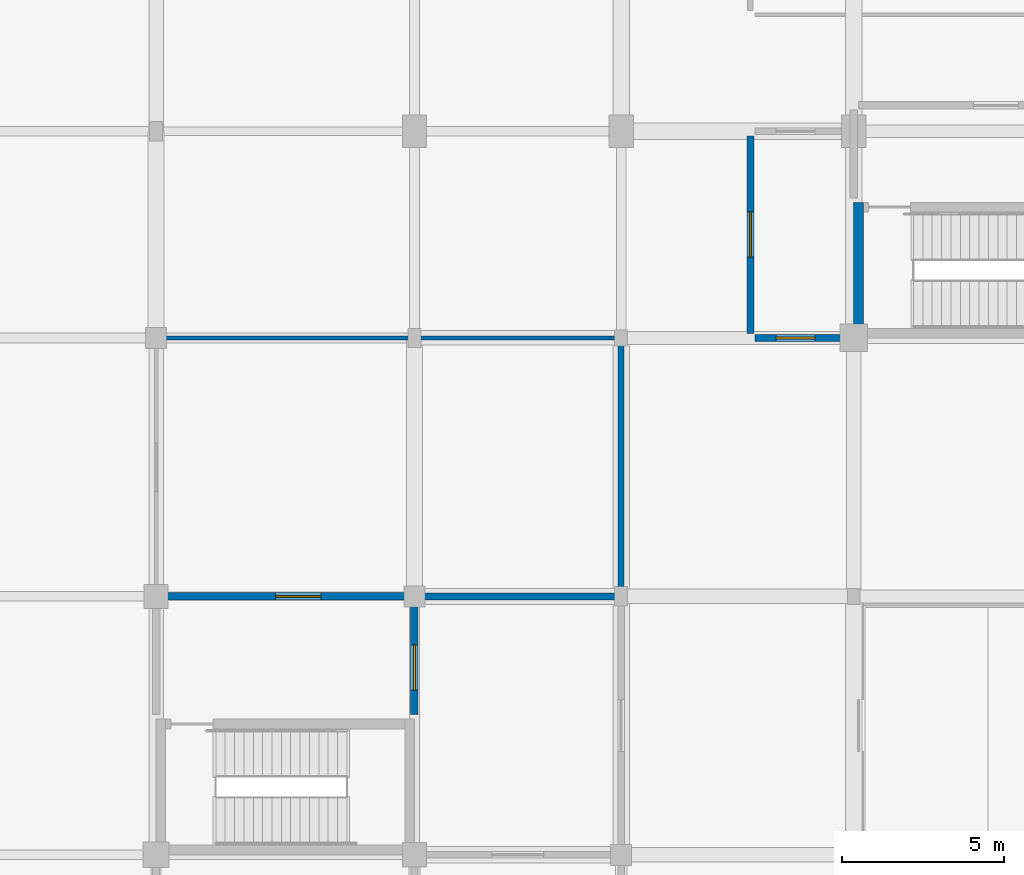
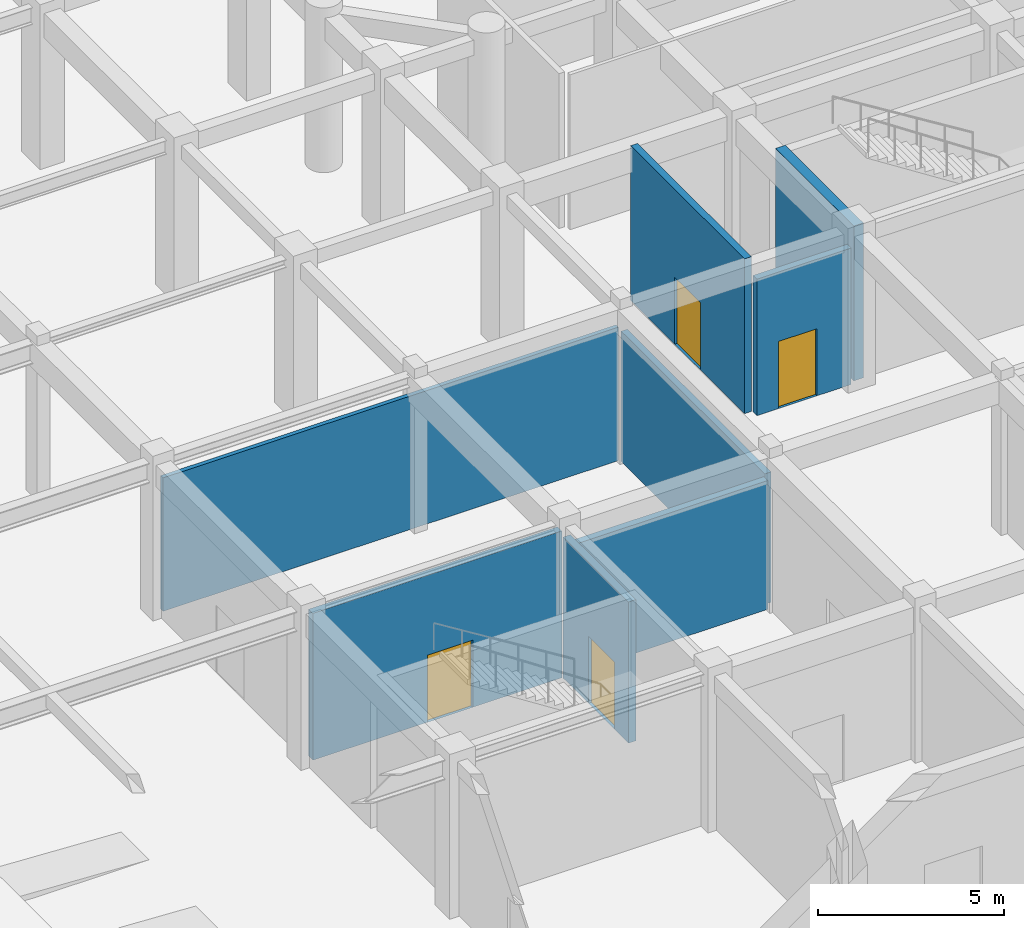
# One storey, part 27 of 40: 8 walls, 4 doors, 4 openings.
"""IFC4 building model written with IfcOpenShell, lengths in metres."""

from ifc_helpers import new_model, si_unit, direction, frame, frame_2d, origin, place, context, subcontext, project, spatial, rectangle, extrude, material, layer, layer_set, type_object, element, fill, save


model = new_model("IFC4")

# Units and contexts
model_context = context("Model", 3, precision=1e-05, world=origin(), true_north=direction((0.0, 1.0)))
body_context = subcontext(model_context, "Body", "Model", "MODEL_VIEW")
ifc_project = project(units=[si_unit("LENGTHUNIT", "METRE"), si_unit("AREAUNIT", "SQUARE_METRE"), si_unit("VOLUMEUNIT", "CUBIC_METRE"), si_unit("PLANEANGLEUNIT", "RADIAN"), si_unit("MASSUNIT", "GRAM", prefix="KILO")], contexts=[model_context])

# Site, building, storey
site_placement = place(None, origin())
site = spatial("IfcSite", under=ifc_project, at=site_placement, CompositionType="ELEMENT")
building_placement = place(site_placement, origin())
building = spatial("IfcBuilding", under=site, at=building_placement, Name="Vellmiral Cinema and Media Centre", CompositionType="ELEMENT")
storey_placement = place(building_placement, origin())
storey = spatial("IfcBuildingStorey", under=building, at=storey_placement, Name="L00", CompositionType="ELEMENT", Elevation=0.0)

# Wall
ifc_material_1 = material(Name="Concrete C40/50", Category="concrete")
ifc_layer_1 = layer(ifc_material_1, 0.2099609375, Name="Concrete C40/50")
ifc_layer_set_1 = layer_set([ifc_layer_1], Name="Concrete C40/50")
wall_type_1 = type_object("IfcWallType", Name="WL-COMP-210", PredefinedType="SOLIDWALL", material=ifc_layer_set_1)
wall_1_placement = place(storey_placement, frame((110.5400390625, 51.199951171875, 0.0), z_axis=(0.0, 0.0, 1.0), x_axis=(1.0, 0.0, 0.0)))
element("IfcWall", 1, at=wall_1_placement, inside=storey, type_object=wall_type_1, Name="ST-P4 Protected Exit Vestibule Wall N", PredefinedType="SOLIDWALL", context=body_context, shape_type="SweptSolid", body=[
    extrude(rectangle(XDim=6.119873046875, YDim=0.2099609375, at=frame_2d((3.06005859375, 0.0))), origin(), (0.0, 0.0, 1.0), 4.22509765625),
])

# Wall, opening, door
wall_2_placement = place(storey_placement, frame((120.93994140625, 59.199951171875, 0.0), z_axis=(0.0, 0.0, 1.0), x_axis=(1.0, 0.0, 0.0)))
wall_2 = element("IfcWall", 2, at=wall_2_placement, inside=storey, type_object=wall_type_1, Name="ST-P6 West Escape Vestibule Wall S", PredefinedType="SOLIDWALL", context=body_context, shape_type="SweptSolid", body=[
    extrude(rectangle(XDim=2.920166015625, YDim=0.2099609375, at=frame_2d((1.4599609375, 0.0))), origin(), (0.0, 0.0, 1.0), 4.47509765625),
])
opening_1_placement = place(wall_2_placement, frame((0.659912109375, 0.0, 0.0)))
opening_1 = element("IfcOpeningElement", 3, at=opening_1_placement, cuts=wall_2, Name="Opening D-FD60C", PredefinedType="OPENING", context=body_context, shape_type="SweptSolid", body=[
    extrude(rectangle(XDim=1.199951171875, YDim=2.199951171875, at=frame_2d((0.60009765625, 1.10009765625))), frame((0.0, 0.116943359375, 0.0), z_axis=(0.0, -1.0, 0.0), x_axis=(1.0, 0.0, 0.0)), (0.0, 0.0, 1.0), 0.23388671875),
])
ifc_material_2 = material(Name="Steel Fire Door", Category="steel")
door_type_1 = type_object("IfcDoorType", Name="DR-FD60-1200x2200", OperationType="NOTDEFINED", PredefinedType="DOOR", material=ifc_material_2)
door_1_placement = place(opening_1_placement, origin())
door_1 = element("IfcDoor", 4, at=door_1_placement, inside=storey, type_object=door_type_1, Name="ST-P6 West Escape Vestibule Door", OperationType="SINGLE_SWING_LEFT", OverallHeight=2.199951171875, OverallWidth=1.199951171875, PredefinedType="DOOR", context=body_context, shape_type="SweptSolid", body=[
    extrude(rectangle(XDim=1.199951171875, YDim=2.199951171875, at=frame_2d((0.60009765625, 1.10009765625))), frame((0.0, 0.02490234375, 0.0), z_axis=(0.0, -1.0, 0.0), x_axis=(1.0, 0.0, 0.0)), (0.0, 0.0, 1.0), 0.050048828125),
])
fill(opening_1, door_1)

wall_3_placement = place(storey_placement, frame((120.800048828125, 59.340087890625, 0.0), z_axis=(0.0, 0.0, 1.0), x_axis=(0.0, 1.0, 0.0)))
wall_3 = element("IfcWall", 5, at=wall_3_placement, inside=storey, type_object=wall_type_1, Name="ST-P6 West Escape Vestibule Wall W", PredefinedType="SOLIDWALL", context=body_context, shape_type="SweptSolid", body=[
    extrude(rectangle(XDim=6.119873046875, YDim=0.2099609375, at=frame_2d((3.06005859375, 0.0))), origin(), (0.0, 0.0, 1.0), 5.080078125),
])
opening_2_placement = place(wall_3_placement, frame((2.360107421875, 0.0, 0.0)))
opening_2 = element("IfcOpeningElement", 6, at=opening_2_placement, cuts=wall_3, Name="Opening D-FD60B", PredefinedType="OPENING", context=body_context, shape_type="SweptSolid", body=[
    extrude(rectangle(XDim=1.39990234375, YDim=2.199951171875, at=frame_2d((0.699951171875, 1.10009765625))), frame((0.0, 0.116943359375, 0.0), z_axis=(0.0, -1.0, 0.0), x_axis=(1.0, 0.0, 0.0)), (0.0, 0.0, 1.0), 0.23388671875),
])
ifc_material_3 = material(Name="Steel Fire Door", Category="steel")
door_type_2 = type_object("IfcDoorType", Name="DR-FD60-1400x2200", OperationType="NOTDEFINED", PredefinedType="DOOR", material=ifc_material_3)
door_2_placement = place(opening_2_placement, frame((1.39990234375, 0.0, 0.0), z_axis=(0.0, 0.0, 1.0), x_axis=(-1.0, 0.0, 0.0)))
door_2 = element("IfcDoor", 7, at=door_2_placement, inside=storey, type_object=door_type_2, Name="ST-P6 West Escape Vestibule Door", OperationType="SINGLE_SWING_LEFT", OverallHeight=2.199951171875, OverallWidth=1.39990234375, PredefinedType="DOOR", context=body_context, shape_type="SweptSolid", body=[
    extrude(rectangle(XDim=1.39990234375, YDim=2.199951171875, at=frame_2d((0.699951171875, 1.10009765625))), frame((0.0, 0.02490234375, 0.0), z_axis=(0.0, -1.0, 0.0), x_axis=(1.0, 0.0, 0.0)), (0.0, 0.0, 1.0), 0.050048828125),
])
fill(opening_2, door_2)

# Wall
ifc_material_4 = material(Name="Concrete C40/50", Category="concrete")
ifc_layer_2 = layer(ifc_material_4, 0.300048828125, Name="Concrete C40/50")
ifc_layer_set_2 = layer_set([ifc_layer_2], Name="Concrete C40/50")
wall_type_2 = type_object("IfcWallType", Name="WL-CORE-300", PredefinedType="SHEAR", material=ifc_layer_set_2)
wall_4_placement = place(storey_placement, frame((124.14990234375, 59.199951171875, 0.0), z_axis=(0.0, 0.0, 1.0), x_axis=(0.0, 1.0, 0.0)))
element("IfcWall", 8, at=wall_4_placement, inside=storey, type_object=wall_type_2, Name="Stair Core Wall ST-P6 L00-W", PredefinedType="SHEAR", context=body_context, shape_type="SweptSolid", body=[
    extrude(rectangle(XDim=4.199951171875, YDim=0.300048828125, at=frame_2d((2.10009765625, 0.0))), origin(), (0.0, 0.0, 1.0), 5.080078125),
])

# Wall, opening, door
ifc_material_5 = material(Name="Concrete C40/50", Category="concrete")
ifc_layer_3 = layer(ifc_material_5, 0.22998046875, Name="Concrete C40/50")
ifc_layer_set_3 = layer_set([ifc_layer_3], Name="Concrete C40/50")
wall_type_3 = type_object("IfcWallType", Name="WL-FFL-230", PredefinedType="SOLIDWALL", material=ifc_layer_set_3)
wall_5_placement = place(storey_placement, frame((102.5400390625, 51.199951171875, 0.0), z_axis=(0.0, 0.0, 1.0), x_axis=(1.0, 0.0, 0.0)))
wall_5 = element("IfcWall", 9, at=wall_5_placement, inside=storey, type_object=wall_type_3, Name="Firefighting Stair Lobby ST-P4 Wall N", PredefinedType="SOLIDWALL", context=body_context, shape_type="SweptSolid", body=[
    extrude(rectangle(XDim=7.719970703125, YDim=0.22998046875, at=frame_2d((3.85986328125, 0.0))), origin(), (0.0, 0.0, 1.0), 4.81494140625),
])
opening_3_placement = place(wall_5_placement, frame((3.56005859375, 0.0, 0.0)))
opening_3 = element("IfcOpeningElement", 10, at=opening_3_placement, cuts=wall_5, Name="Opening D-FD60B", PredefinedType="OPENING", context=body_context, shape_type="SweptSolid", body=[
    extrude(rectangle(XDim=1.39990234375, YDim=2.199951171875, at=frame_2d((0.699951171875, 1.10009765625))), frame((0.0, 0.126953125, 0.0), z_axis=(0.0, -1.0, 0.0), x_axis=(1.0, 0.0, 0.0)), (0.0, 0.0, 1.0), 0.25390625),
])
door_3_placement = place(opening_3_placement, origin())
door_3 = element("IfcDoor", 11, at=door_3_placement, inside=storey, type_object=door_type_2, Name="Firefighting Stair Lobby ST-P4 Door", OperationType="SINGLE_SWING_RIGHT", OverallHeight=2.199951171875, OverallWidth=1.39990234375, PredefinedType="DOOR", context=body_context, shape_type="SweptSolid", body=[
    extrude(rectangle(XDim=1.39990234375, YDim=2.199951171875, at=frame_2d((0.699951171875, 1.10009765625))), frame((0.0, 0.02490234375, 0.0), z_axis=(0.0, -1.0, 0.0), x_axis=(1.0, 0.0, 0.0)), (0.0, 0.0, 1.0), 0.050048828125),
])
fill(opening_3, door_3)

wall_6_placement = place(storey_placement, frame((110.39990234375, 47.5400390625, 0.0), z_axis=(0.0, 0.0, 1.0), x_axis=(0.0, 1.0, 0.0)))
wall_6 = element("IfcWall", 12, at=wall_6_placement, inside=storey, type_object=wall_type_3, Name="Firefighting Stair Lobby ST-P4 Wall E", PredefinedType="SOLIDWALL", context=body_context, shape_type="SweptSolid", body=[
    extrude(rectangle(XDim=3.52001953125, YDim=0.22998046875, at=frame_2d((1.760009765625, 0.0))), origin(), (0.0, 0.0, 1.0), 4.625),
])
opening_4_placement = place(wall_6_placement, frame((0.760009765625, 0.0, 0.0)))
opening_4 = element("IfcOpeningElement", 13, at=opening_4_placement, cuts=wall_6, Name="Opening D-FD60B", PredefinedType="OPENING", context=body_context, shape_type="SweptSolid", body=[
    extrude(rectangle(XDim=1.39990234375, YDim=2.199951171875, at=frame_2d((0.699951171875, 1.10009765625))), frame((0.0, 0.126953125, 0.0), z_axis=(0.0, -1.0, 0.0), x_axis=(1.0, 0.0, 0.0)), (0.0, 0.0, 1.0), 0.25390625),
])
door_4_placement = place(opening_4_placement, frame((1.39990234375, 0.0, 0.0), z_axis=(0.0, 0.0, 1.0), x_axis=(-1.0, 0.0, 0.0)))
door_4 = element("IfcDoor", 14, at=door_4_placement, inside=storey, type_object=door_type_2, Name="Firefighting Stair Lobby ST-P4 Door", OperationType="SINGLE_SWING_RIGHT", OverallHeight=2.199951171875, OverallWidth=1.39990234375, PredefinedType="DOOR", context=body_context, shape_type="SweptSolid", body=[
    extrude(rectangle(XDim=1.39990234375, YDim=2.199951171875, at=frame_2d((0.699951171875, 1.10009765625))), frame((0.0, 0.02490234375, 0.0), z_axis=(0.0, -1.0, 0.0), x_axis=(1.0, 0.0, 0.0)), (0.0, 0.0, 1.0), 0.050048828125),
])
fill(opening_4, door_4)

# Walls
ifc_material_6 = material(Name="Gypsum Plasterboard")
ifc_layer_4 = layer(ifc_material_6, 0.02490234375, Name="Gypsum Plasterboard", Category="gypsum")
ifc_material_7 = material(Name="Mineral Wool Acoustic Insulation", Category="insulation")
ifc_layer_5 = layer(ifc_material_7, 0.080078125, Name="Mineral Wool Acoustic Insulation", Category="insulation")
ifc_layer_6 = layer(ifc_material_6, 0.02490234375, Name="Gypsum Plasterboard", Category="gypsum")
ifc_layer_set_4 = layer_set([ifc_layer_4, ifc_layer_5, ifc_layer_6], Name="Gypsum Plasterboard")
wall_type_4 = type_object("IfcWallType", Name="WL-PART-130", PredefinedType="PARTITIONING", material=ifc_layer_set_4)
wall_7_placement = place(storey_placement, frame((102.5400390625, 59.199951171875, 0.0), z_axis=(0.0, 0.0, 1.0), x_axis=(1.0, 0.0, 0.0)))
element("IfcWall", 15, at=wall_7_placement, inside=storey, type_object=wall_type_4, Name="Promenade Cinema Cafe Wall N", PredefinedType="PARTITIONING", context=body_context, shape_type="SweptSolid", body=[
    extrude(rectangle(XDim=14.119873046875, YDim=0.1298828125, at=frame_2d((7.06005859375, 0.0))), origin(), (0.0, 0.0, 1.0), 4.375),
])
ifc_material_8 = material(Name="Gypsum Plasterboard")
ifc_layer_7 = layer(ifc_material_8, 0.02490234375, Name="Gypsum Plasterboard", Category="gypsum")
ifc_material_9 = material(Name="Mineral Wool Acoustic Insulation", Category="insulation")
ifc_layer_8 = layer(ifc_material_9, 0.139892578125, Name="Mineral Wool Acoustic Insulation", Category="insulation")
ifc_layer_9 = layer(ifc_material_8, 0.02490234375, Name="Gypsum Plasterboard", Category="gypsum")
ifc_layer_set_5 = layer_set([ifc_layer_7, ifc_layer_8, ifc_layer_9], Name="Gypsum Plasterboard")
wall_type_5 = type_object("IfcWallType", Name="WL-PART-190", PredefinedType="PARTITIONING", material=ifc_layer_set_5)
wall_8_placement = place(storey_placement, frame((116.800048828125, 51.340087890625, 0.0), z_axis=(0.0, 0.0, 1.0), x_axis=(0.0, 1.0, 0.0)))
element("IfcWall", 16, at=wall_8_placement, inside=storey, type_object=wall_type_5, Name="Promenade Cinema Cafe Wall E", PredefinedType="PARTITIONING", context=body_context, shape_type="SweptSolid", body=[
    extrude(rectangle(XDim=7.719970703125, YDim=0.18994140625, at=frame_2d((3.85986328125, 0.0))), origin(), (0.0, 0.0, 1.0), 4.27490234375),
])

save(model, "model.ifc")
